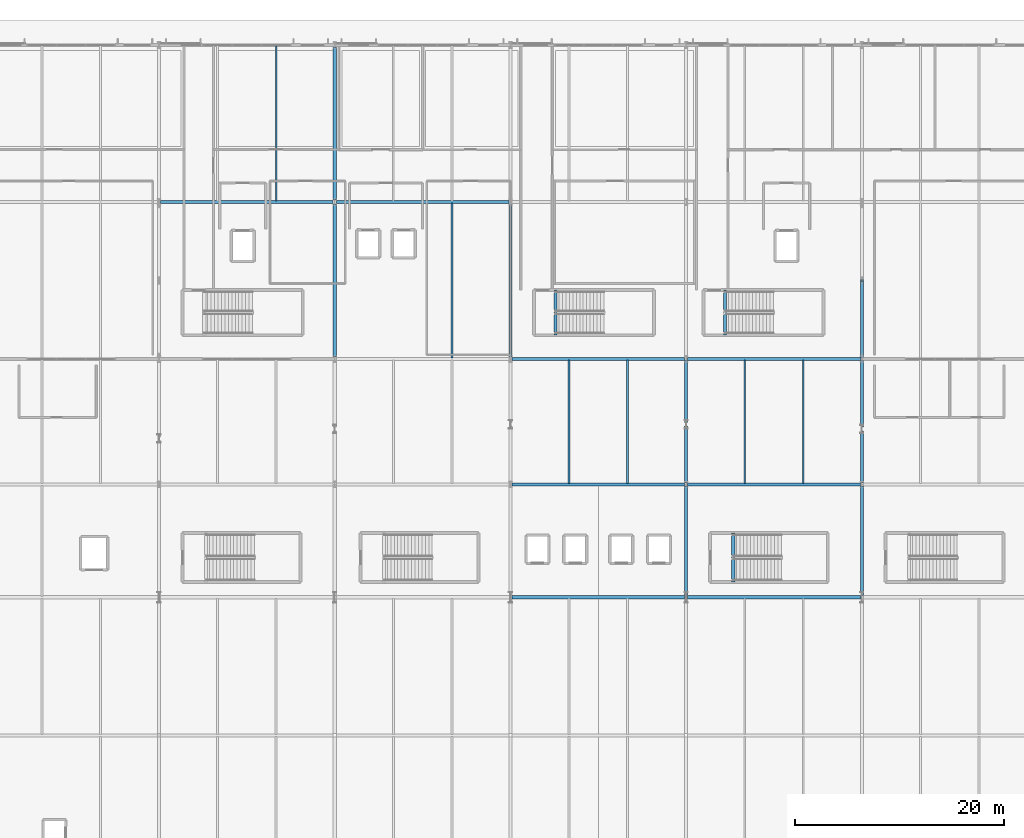
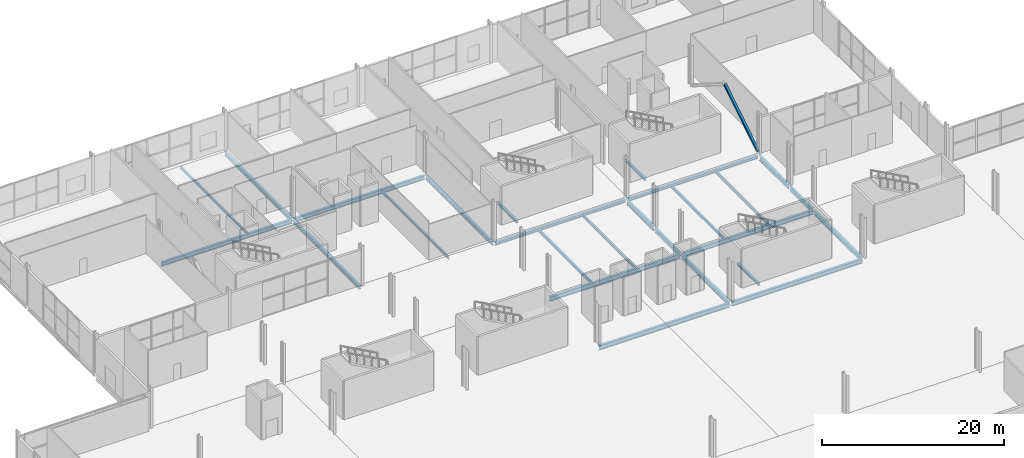
# One storey, part 33 of 87: 26 beams, 1 member.
"""IFC4 building model written with IfcOpenShell, lengths in metres."""

from ifc_helpers import new_model, si_unit, direction, frame, origin, origin_2d, place, context, subcontext, project, spatial, i_section, extrude, material, material_profile, profile_set, type_object, element, save


model = new_model("IFC4")

# Units and contexts
model_context = context("Model", 3, precision=1e-05, world=origin(), true_north=direction((0.0, 1.0)))
body_context = subcontext(model_context, "Body", "Model", "MODEL_VIEW")
ifc_project = project(units=[si_unit("LENGTHUNIT", "METRE"), si_unit("AREAUNIT", "SQUARE_METRE"), si_unit("VOLUMEUNIT", "CUBIC_METRE"), si_unit("PLANEANGLEUNIT", "RADIAN"), si_unit("MASSUNIT", "GRAM", prefix="KILO")], contexts=[model_context])

# Site, building, storey
site_placement = place(None, origin())
site = spatial("IfcSite", under=ifc_project, at=site_placement, CompositionType="ELEMENT")
building_placement = place(site_placement, origin())
building = spatial("IfcBuilding", under=site, at=building_placement, Name="Kimbaza Rail Terminus", CompositionType="ELEMENT")
storey_placement = place(building_placement, origin())
storey = spatial("IfcBuildingStorey", under=building, at=storey_placement, Name="L00", CompositionType="ELEMENT", Elevation=0.0)

# Beams
ifc_material_1 = material(Name="Steel S355", Category="steel")
ifc_material_profile_1 = material_profile(ifc_material_1, i_section(OverallWidth=0.300048828125, OverallDepth=0.2900390625, WebThickness=0.008544921875, FlangeThickness=0.013916015625, FilletRadius=0.027099609375, at=origin_2d()), Name="HEA 300")
ifc_profile_set_1 = profile_set([ifc_material_profile_1], Name="Steel S355")
beam_type_1 = type_object("IfcBeamType", Name="STR-BM-HEA300", PredefinedType="SPANDREL", material=ifc_profile_set_1)
for number, where, z_axis, x_axis, name in (
    (1, (109.919921875, 105.260009765625, -0.385009765625), (0.0, 1.0, 0.0), (-1.0, 0.0, 0.0), "Operations Central Exit Stair Landing Trimmer Beam L00"),
    (2, (126.1201171875, 105.260009765625, -0.385009765625), (0.0, 1.0, 0.0), (-1.0, 0.0, 0.0), "Operations East Exit Stair Landing Trimmer Beam L00"),
):
    element("IfcBeam", number, at=place(storey_placement, frame(where, z_axis=z_axis, x_axis=x_axis)), inside=storey, type_object=beam_type_1, Name=name, PredefinedType="SPANDREL", context=body_context, shape_type="SweptSolid", body=[
        extrude(i_section(OverallWidth=0.300048828125, OverallDepth=0.2900390625, WebThickness=0.008544921875, FlangeThickness=0.013916015625, FilletRadius=0.027099609375, at=origin_2d()), origin(), (0.0, 0.0, 1.0), 4.320068359375),
    ])
beam_1_placement = place(storey_placement, frame((126.89990234375, 81.659912109375, -0.39501953125), z_axis=(0.0, 1.0, 0.0), x_axis=(-1.0, 0.0, 0.0)))
element("IfcBeam", 3, at=beam_1_placement, inside=storey, type_object=beam_type_1, Name="Footbridge East Platform Stair Landing Trimmer Beam L00", PredefinedType="SPANDREL", context=body_context, shape_type="SweptSolid", body=[
    extrude(i_section(OverallWidth=0.300048828125, OverallDepth=0.2900390625, WebThickness=0.008544921875, FlangeThickness=0.013916015625, FilletRadius=0.027099609375, at=origin_2d()), origin(), (0.0, 0.0, 1.0), 4.68017578125),
])
ifc_material_2 = material(Name="Steel S355", Category="steel")
ifc_material_profile_2 = material_profile(ifc_material_2, i_section(OverallWidth=0.300048828125, OverallDepth=0.389892578125, WebThickness=0.010986328125, FlangeThickness=0.01904296875, FilletRadius=0.027099609375, at=origin_2d()), Name="HEA 400")
ifc_profile_set_2 = profile_set([ifc_material_profile_2], Name="Steel S355")
beam_type_2 = type_object("IfcBeamType", Name="STR-BM-HEA400", PredefinedType="SPANDREL", material=ifc_profile_set_2)
beam_2_placement = place(storey_placement, frame((105.74609375, 103.0, -0.445068359375), z_axis=(1.0, 0.0, 0.0), x_axis=(0.0, 1.0, 0.0)))
element("IfcBeam", 4, at=beam_2_placement, inside=storey, type_object=beam_type_2, Name="Operations Girder L00 X3-Y0", PredefinedType="SPANDREL", context=body_context, shape_type="SweptSolid", body=[
    extrude(i_section(OverallWidth=0.300048828125, OverallDepth=0.389892578125, WebThickness=0.010986328125, FlangeThickness=0.01904296875, FilletRadius=0.027099609375, at=origin_2d()), origin(), (0.0, 0.0, 1.0), 16.5078125),
])
beam_3_placement = place(storey_placement, frame((122.5458984375, 103.0, -0.445068359375), z_axis=(1.0, 0.0, 0.0), x_axis=(0.0, 1.0, 0.0)))
element("IfcBeam", 5, at=beam_3_placement, inside=storey, type_object=beam_type_2, Name="Operations Girder L00 X4-Y0", PredefinedType="SPANDREL", context=body_context, shape_type="SweptSolid", body=[
    extrude(i_section(OverallWidth=0.300048828125, OverallDepth=0.389892578125, WebThickness=0.010986328125, FlangeThickness=0.01904296875, FilletRadius=0.027099609375, at=origin_2d()), origin(), (0.0, 0.0, 1.0), 16.508056640625),
])
ifc_material_3 = material(Name="Steel S355", Category="steel")
ifc_material_profile_3 = material_profile(ifc_material_3, i_section(OverallWidth=0.300048828125, OverallDepth=0.5, WebThickness=0.014404296875, FlangeThickness=0.028076171875, FilletRadius=0.027099609375, at=origin_2d()), Name="HEB 500")
ifc_profile_set_3 = profile_set([ifc_material_profile_3], Name="Steel S355")
beam_type_3 = type_object("IfcBeamType", Name="STR-BM-HEB500", PredefinedType="BEAM", material=ifc_profile_set_3)
for number, where, z_axis, x_axis, name in (
    (6, (88.800048828125, 103.175048828125, -0.489990234375), (0.0, 1.0, 0.0), (-1.0, 0.0, 0.0), "Operations Cross Girder L00 X2-Y0"),
    (7, (88.800048828125, 118.175048828125, -0.489990234375), (0.0, 1.0, 0.0), (-1.0, 0.0, 0.0), "Operations Cross Girder L00 X2-Y1"),
    (8, (105.60009765625, 103.175048828125, -0.489990234375), (0.0, 1.0, 0.0), (-1.0, 0.0, 0.0), "Operations Cross Girder L00 X3-Y0"),
):
    element("IfcBeam", number, at=place(storey_placement, frame(where, z_axis=z_axis, x_axis=x_axis)), inside=storey, type_object=beam_type_3, Name=name, PredefinedType="BEAM", context=body_context, shape_type="SweptSolid", body=[
        extrude(i_section(OverallWidth=0.300048828125, OverallDepth=0.5, WebThickness=0.014404296875, FlangeThickness=0.028076171875, FilletRadius=0.027099609375, at=origin_2d()), origin(), (0.0, 0.0, 1.0), 14.64990234375),
    ])
ifc_material_4 = material(Name="Steel S355", Category="steel")
ifc_material_profile_4 = material_profile(ifc_material_4, i_section(OverallWidth=0.300048828125, OverallDepth=0.550048828125, WebThickness=0.014892578125, FlangeThickness=0.029052734375, FilletRadius=0.027099609375, at=origin_2d()), Name="HEB 550")
ifc_profile_set_4 = profile_set([ifc_material_profile_4], Name="Steel S355")
beam_type_4 = type_object("IfcBeamType", Name="STR-BM-HEB550", PredefinedType="BEAM", material=ifc_profile_set_4)
for number, where, z_axis, x_axis, name in (
    (9, (72.14599609375, 118.0, -0.514892578125), (1.0, 0.0, 0.0), (0.0, 1.0, 0.0), "Operations Girder L00 X1-Y1"),
    (10, (88.946044921875, 118.0, -0.514892578125), (1.0, 0.0, 0.0), (0.0, 1.0, 0.0), "Operations Girder L00 X2-Y1"),
):
    element("IfcBeam", number, at=place(storey_placement, frame(where, z_axis=z_axis, x_axis=x_axis)), inside=storey, type_object=beam_type_4, Name=name, PredefinedType="BEAM", context=body_context, shape_type="SweptSolid", body=[
        extrude(i_section(OverallWidth=0.300048828125, OverallDepth=0.550048828125, WebThickness=0.014892578125, FlangeThickness=0.029052734375, FilletRadius=0.027099609375, at=origin_2d()), origin(), (0.0, 0.0, 1.0), 16.508056640625),
    ])
ifc_material_5 = material(Name="Steel S355", Category="steel")
ifc_material_profile_5 = material_profile(ifc_material_5, i_section(OverallWidth=0.300048828125, OverallDepth=0.60009765625, WebThickness=0.015380859375, FlangeThickness=0.030029296875, FilletRadius=0.027099609375, at=origin_2d()), Name="HEB 600")
ifc_profile_set_5 = profile_set([ifc_material_profile_5], Name="Steel S355")
beam_type_5 = type_object("IfcBeamType", Name="STR-BM-HEB600", PredefinedType="BEAM", material=ifc_profile_set_5)
for number, where, z_axis, x_axis, name in (
    (11, (122.39990234375, 80.375, -0.550048828125), (0.0, 1.0, 0.0), (-1.0, 0.0, 0.0), "Beam BM-V2Y-L00-4-80"),
    (12, (139.199951171875, 80.375, -0.550048828125), (0.0, 1.0, 0.0), (-1.0, 0.0, 0.0), "Beam BM-V2Y-L00-5-80"),
):
    element("IfcBeam", number, at=place(storey_placement, frame(where, z_axis=z_axis, x_axis=x_axis)), inside=storey, type_object=beam_type_5, Name=name, PredefinedType="BEAM", context=body_context, shape_type="SweptSolid", body=[
        extrude(i_section(OverallWidth=0.300048828125, OverallDepth=0.60009765625, WebThickness=0.015380859375, FlangeThickness=0.030029296875, FilletRadius=0.027099609375, at=origin_2d()), origin(), (0.0, 0.0, 1.0), 10.449951171875),
    ])
beam_4_placement = place(storey_placement, frame((105.74609375, 80.199951171875, -0.550048828125), z_axis=(1.0, 0.0, 0.0), x_axis=(0.0, 1.0, 0.0)))
element("IfcBeam", 13, at=beam_4_placement, inside=storey, type_object=beam_type_5, Name="Beam BM-V2X-L00-5-4", PredefinedType="BEAM", context=body_context, shape_type="SweptSolid", body=[
    extrude(i_section(OverallWidth=0.300048828125, OverallDepth=0.60009765625, WebThickness=0.015380859375, FlangeThickness=0.030029296875, FilletRadius=0.027099609375, at=origin_2d()), origin(), (0.0, 0.0, 1.0), 16.5078125),
])
beam_5_placement = place(storey_placement, frame((122.5458984375, 80.199951171875, -0.550048828125), z_axis=(1.0, 0.0, 0.0), x_axis=(0.0, 1.0, 0.0)))
element("IfcBeam", 14, at=beam_5_placement, inside=storey, type_object=beam_type_5, Name="Beam BM-V2X-L00-5-5", PredefinedType="BEAM", context=body_context, shape_type="SweptSolid", body=[
    extrude(i_section(OverallWidth=0.300048828125, OverallDepth=0.60009765625, WebThickness=0.015380859375, FlangeThickness=0.030029296875, FilletRadius=0.027099609375, at=origin_2d()), origin(), (0.0, 0.0, 1.0), 16.508056640625),
])
beam_6_placement = place(storey_placement, frame((105.74609375, 91.0, -0.550048828125), z_axis=(1.0, 0.0, 0.0), x_axis=(0.0, 1.0, 0.0)))
element("IfcBeam", 15, at=beam_6_placement, inside=storey, type_object=beam_type_5, Name="Beam BM-V2X-L00-6-4", PredefinedType="BEAM", context=body_context, shape_type="SweptSolid", body=[
    extrude(i_section(OverallWidth=0.300048828125, OverallDepth=0.60009765625, WebThickness=0.015380859375, FlangeThickness=0.030029296875, FilletRadius=0.027099609375, at=origin_2d()), origin(), (0.0, 0.0, 1.0), 16.5078125),
])
beam_7_placement = place(storey_placement, frame((122.5458984375, 91.0, -0.550048828125), z_axis=(1.0, 0.0, 0.0), x_axis=(0.0, 1.0, 0.0)))
element("IfcBeam", 16, at=beam_7_placement, inside=storey, type_object=beam_type_5, Name="Beam BM-V2X-L00-6-5", PredefinedType="BEAM", context=body_context, shape_type="SweptSolid", body=[
    extrude(i_section(OverallWidth=0.300048828125, OverallDepth=0.60009765625, WebThickness=0.015380859375, FlangeThickness=0.030029296875, FilletRadius=0.027099609375, at=origin_2d()), origin(), (0.0, 0.0, 1.0), 16.508056640625),
])
beam_8_placement = place(storey_placement, frame((122.39990234375, 91.175048828125, -0.550048828125), z_axis=(0.0, 1.0, 0.0), x_axis=(-1.0, 0.0, 0.0)))
element("IfcBeam", 17, at=beam_8_placement, inside=storey, type_object=beam_type_5, Name="Beam BM-VSPN-L00-6", PredefinedType="BEAM", context=body_context, shape_type="SweptSolid", body=[
    extrude(i_section(OverallWidth=0.300048828125, OverallDepth=0.60009765625, WebThickness=0.015380859375, FlangeThickness=0.030029296875, FilletRadius=0.027099609375, at=origin_2d()), origin(), (0.0, 0.0, 1.0), 5.39306640625),
])
beam_9_placement = place(storey_placement, frame((122.39990234375, 96.918212890625, -0.550048828125), z_axis=(0.0, 1.0, 0.0), x_axis=(-1.0, 0.0, 0.0)))
element("IfcBeam", 18, at=beam_9_placement, inside=storey, type_object=beam_type_5, Name="Beam BM-VSPN2-L00-6", PredefinedType="BEAM", context=body_context, shape_type="SweptSolid", body=[
    extrude(i_section(OverallWidth=0.300048828125, OverallDepth=0.60009765625, WebThickness=0.015380859375, FlangeThickness=0.030029296875, FilletRadius=0.027099609375, at=origin_2d()), origin(), (0.0, 0.0, 1.0), 5.90673828125),
])
beam_10_placement = place(storey_placement, frame((139.199951171875, 91.175048828125, -0.550048828125), z_axis=(0.0, 1.0, 0.0), x_axis=(-1.0, 0.0, 0.0)))
element("IfcBeam", 19, at=beam_10_placement, inside=storey, type_object=beam_type_5, Name="Beam BM-VSPN-L00-7", PredefinedType="BEAM", context=body_context, shape_type="SweptSolid", body=[
    extrude(i_section(OverallWidth=0.300048828125, OverallDepth=0.60009765625, WebThickness=0.015380859375, FlangeThickness=0.030029296875, FilletRadius=0.027099609375, at=origin_2d()), origin(), (0.0, 0.0, 1.0), 4.937744140625),
])
beam_11_placement = place(storey_placement, frame((139.199951171875, 96.462646484375, -0.550048828125), z_axis=(0.0, 1.0, 0.0), x_axis=(-1.0, 0.0, 0.0)))
element("IfcBeam", 20, at=beam_11_placement, inside=storey, type_object=beam_type_5, Name="Beam BM-VSPN2-L00-7", PredefinedType="BEAM", context=body_context, shape_type="SweptSolid", body=[
    extrude(i_section(OverallWidth=0.300048828125, OverallDepth=0.60009765625, WebThickness=0.015380859375, FlangeThickness=0.030029296875, FilletRadius=0.027099609375, at=origin_2d()), origin(), (0.0, 0.0, 1.0), 6.3623046875),
])
ifc_material_6 = material(Name="Steel S355", Category="steel")
ifc_material_profile_6 = material_profile(ifc_material_6, i_section(OverallWidth=0.169921875, OverallDepth=0.360107421875, WebThickness=0.008056640625, FlangeThickness=0.0126953125, FilletRadius=0.01806640625, at=origin_2d()), Name="IPE 360")
ifc_profile_set_6 = profile_set([ifc_material_profile_6], Name="Steel S355")
beam_type_6 = type_object("IfcBeamType", Name="STR-BM-IPE360", PredefinedType="JOIST", material=ifc_profile_set_6)
for number, where, z_axis, x_axis, name in (
    (21, (83.199951171875, 118.10009765625, -0.419921875), (0.0, 1.0, 0.0), (-1.0, 0.0, 0.0), "Operations Secondary Joist L00"),
    (22, (100.0, 103.10009765625, -0.419921875), (0.0, 1.0, 0.0), (-1.0, 0.0, 0.0), "Operations Secondary Joist L00"),
):
    element("IfcBeam", number, at=place(storey_placement, frame(where, z_axis=z_axis, x_axis=x_axis)), inside=storey, type_object=beam_type_6, Name=name, PredefinedType="JOIST", context=body_context, shape_type="SweptSolid", body=[
        extrude(i_section(OverallWidth=0.169921875, OverallDepth=0.360107421875, WebThickness=0.008056640625, FlangeThickness=0.0126953125, FilletRadius=0.01806640625, at=origin_2d()), origin(), (0.0, 0.0, 1.0), 14.7998046875),
    ])
ifc_material_7 = material(Name="Steel S355", Category="steel")
ifc_material_profile_7 = material_profile(ifc_material_7, i_section(OverallWidth=0.179931640625, OverallDepth=0.39990234375, WebThickness=0.008544921875, FlangeThickness=0.013427734375, FilletRadius=0.02099609375, at=origin_2d()), Name="IPE 400")
ifc_profile_set_7 = profile_set([ifc_material_profile_7], Name="Steel S355")
beam_type_7 = type_object("IfcBeamType", Name="STR-BM-IPE400", PredefinedType="JOIST", material=ifc_profile_set_7)
for number, where, z_axis, x_axis, name in (
    (23, (111.199951171875, 91.10009765625, -0.449951171875), (0.0, 1.0, 0.0), (-1.0, 0.0, 0.0), "Beam JST-V2-L00-4-1-91"),
    (24, (116.800048828125, 91.10009765625, -0.449951171875), (0.0, 1.0, 0.0), (-1.0, 0.0, 0.0), "Beam JST-V2-L00-4-2-91"),
    (25, (128.0, 91.10009765625, -0.449951171875), (0.0, 1.0, 0.0), (-1.0, 0.0, 0.0), "Beam JST-V2-L00-5-1-91"),
    (26, (133.60009765625, 91.10009765625, -0.449951171875), (0.0, 1.0, 0.0), (-1.0, 0.0, 0.0), "Beam JST-V2-L00-5-2-91"),
):
    element("IfcBeam", number, at=place(storey_placement, frame(where, z_axis=z_axis, x_axis=x_axis)), inside=storey, type_object=beam_type_7, Name=name, PredefinedType="JOIST", context=body_context, shape_type="SweptSolid", body=[
        extrude(i_section(OverallWidth=0.179931640625, OverallDepth=0.39990234375, WebThickness=0.008544921875, FlangeThickness=0.013427734375, FilletRadius=0.02099609375, at=origin_2d()), origin(), (0.0, 0.0, 1.0), 11.7998046875),
    ])

# Member
ifc_material_8 = material(Name="Steel S355", Category="steel")
ifc_material_profile_8 = material_profile(ifc_material_8, i_section(OverallWidth=0.300048828125, OverallDepth=0.300048828125, WebThickness=0.010986328125, FlangeThickness=0.01904296875, FilletRadius=0.027099609375, at=origin_2d()), Name="HEB 300")
ifc_profile_set_8 = profile_set([ifc_material_profile_8], Name="Steel S355")
member_type = type_object("IfcMemberType", Name="STR-MB-HEB300", PredefinedType="BRACE", material=ifc_profile_set_8)
member_placement = place(storey_placement, frame((139.199951171875, 103.179931640625, 0.050048828125), z_axis=(0.0, 0.846184293395, 0.53289036547), x_axis=(-1.0, 0.0, 0.0)))
element("IfcMember", 27, at=member_placement, inside=storey, type_object=member_type, Name="Core Chevron Brace 5A", PredefinedType="BRACE", context=body_context, shape_type="SweptSolid", body=[
    extrude(i_section(OverallWidth=0.300048828125, OverallDepth=0.300048828125, WebThickness=0.010986328125, FlangeThickness=0.01904296875, FilletRadius=0.027099609375, at=origin_2d()), origin(), (0.0, 0.0, 1.0), 8.650634765625),
])

save(model, "model.ifc")
